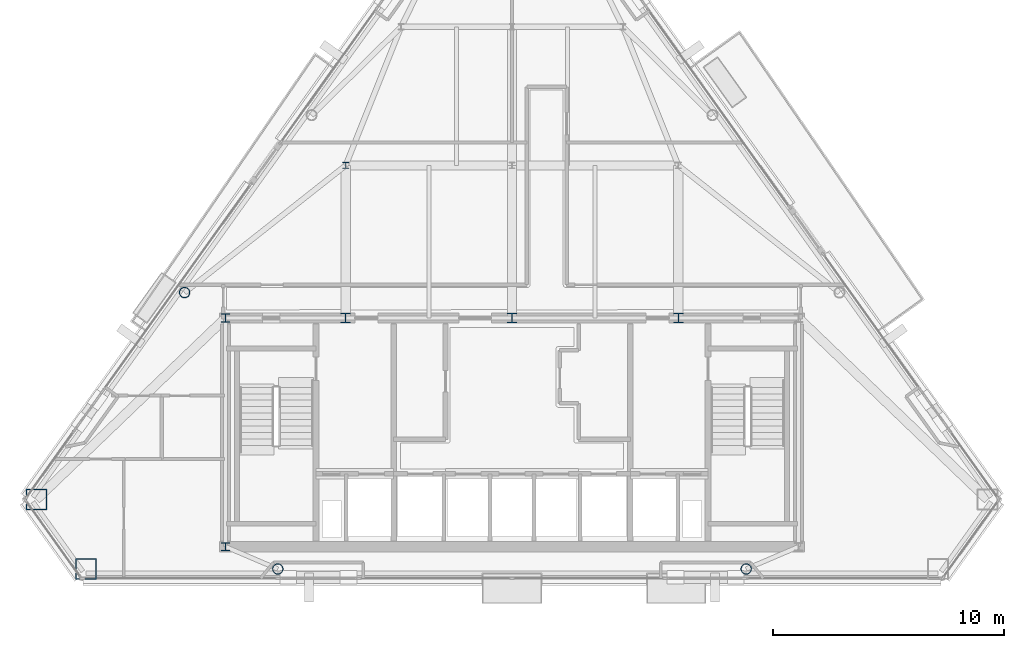
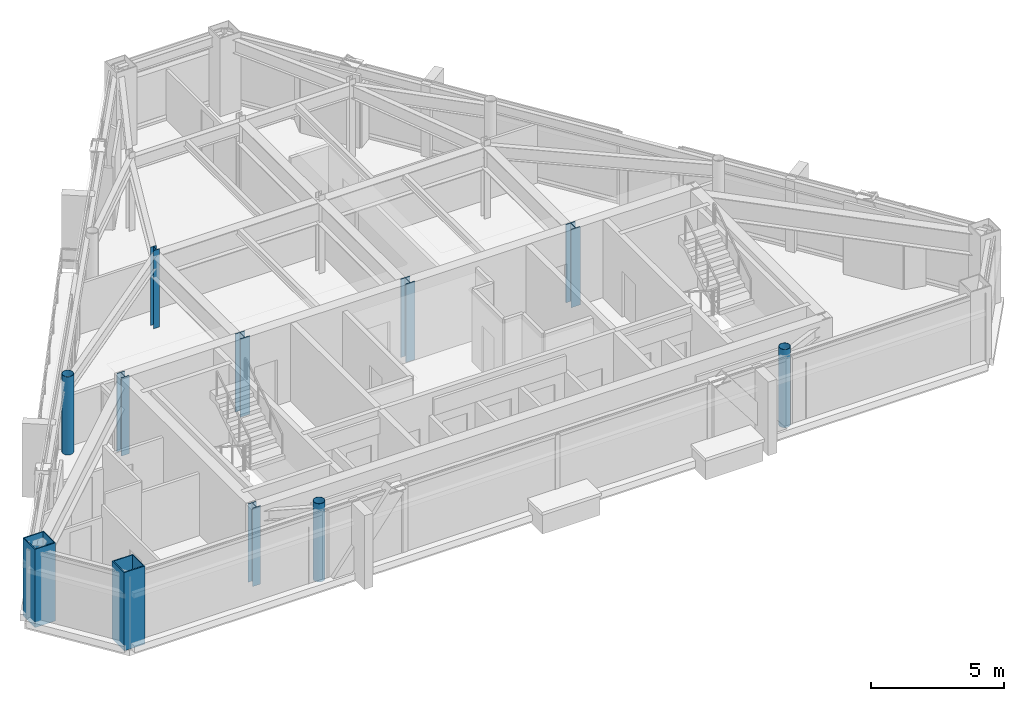
# One storey, part 1 of 12: 11 columns.
"""IFC4 building model written with IfcOpenShell, lengths in metres."""

import ifcopenshell
import ifcopenshell.guid

model = None  # the IFC model being written
_history = None  # IfcOwnerHistory: only IFC2X3 demands one
_inside = {}  # id of a spatial element -> (the spatial element, [elements in it])
_under = {}  # id of a project, library or spatial element -> (it, [spatial elements below it])
_declared = {}  # id of a project -> (the project, [libraries it declares])
_typed = {}  # id of a type object -> (the type object, [elements of that type])
_made_of = {}  # id of a material, layer set ... -> (it, [elements and type objects made of it])


def new_model(schema):
    """Start an empty IFC model of exactly this schema.

    Asked for "IFC4X3", IfcOpenShell would pick the latest addendum, in which some entities
    have other attributes; the version numbers below select the first issue.
    IFC2X3 requires an IfcOwnerHistory on every rooted entity: one is made here for all.
    """
    global model, _history
    if schema == "IFC4X3":
        model = ifcopenshell.file(schema_version=(4, 3, 0, 0))
    else:
        model = ifcopenshell.file(schema=schema)
    _inside.clear()
    _under.clear()
    _declared.clear()
    _typed.clear()
    _made_of.clear()
    _history = None
    if model.schema == "IFC2X3":
        org = make("IfcOrganization", Name="unknown")
        user = make(
            "IfcPersonAndOrganization",
            ThePerson=make("IfcPerson", FamilyName="unknown"),
            TheOrganization=org,
        )
        app = make(
            "IfcApplication",
            ApplicationDeveloper=org,
            Version="unknown",
            ApplicationFullName="unknown",
            ApplicationIdentifier="unknown",
        )
        _history = make(
            "IfcOwnerHistory",
            OwningUser=user,
            OwningApplication=app,
            ChangeAction="ADDED",
            CreationDate=0,
        )
    return model


def make(cls, **values):
    """One entity of the class cls with the attributes given. An attribute that is None is left unset."""
    return model.create_entity(
        cls, **{name: value for name, value in values.items() if value is not None}
    )


def rooted(cls, **values):
    """An entity with a GlobalId (a new one), such as an element, a storey or a relation."""
    return make(cls, GlobalId=ifcopenshell.guid.new(), OwnerHistory=_history, **values)


def si_unit(unit_type, name, prefix=None):
    """IfcSIUnit, for example si_unit("LENGTHUNIT", "METRE", prefix="MILLI")."""
    return make("IfcSIUnit", UnitType=unit_type, Prefix=prefix, Name=name)


def assignment(units):
    """IfcUnitAssignment: the units of a project."""
    return None if units is None else make("IfcUnitAssignment", Units=units)


def point(xyz):
    """IfcCartesianPoint."""
    return None if xyz is None else make("IfcCartesianPoint", Coordinates=xyz)


def direction(xyz):
    """IfcDirection."""
    return None if xyz is None else make("IfcDirection", DirectionRatios=xyz)


def frame(location, z_axis=None, x_axis=None):
    """IfcAxis2Placement3D, a coordinate frame: its origin and axes. An axis left out is left unset."""
    return make(
        "IfcAxis2Placement3D",
        Location=point(location),
        Axis=direction(z_axis),
        RefDirection=direction(x_axis),
    )


def frame_2d(location, x_axis=None):
    """IfcAxis2Placement2D, a coordinate frame in the plane: its origin and x axis."""
    return make(
        "IfcAxis2Placement2D", Location=point(location), RefDirection=direction(x_axis)
    )


def origin():
    """The frame at (0, 0, 0) with its axes left unset."""
    return frame((0.0, 0.0, 0.0))


def origin_2d():
    """The frame at (0, 0) in the plane with its x axis left unset."""
    return frame_2d((0.0, 0.0))


def place(relative_to, where):
    """IfcLocalPlacement: puts the frame where relative to a parent placement (None: the world)."""
    return make(
        "IfcLocalPlacement", PlacementRelTo=relative_to, RelativePlacement=where
    )


def context(
    kind, dimensions, precision=None, world=None, true_north=None, identifier=None
):
    """IfcGeometricRepresentationContext, for example the 3D "Model" context."""
    return make(
        "IfcGeometricRepresentationContext",
        ContextIdentifier=identifier,
        ContextType=kind,
        CoordinateSpaceDimension=dimensions,
        Precision=precision,
        WorldCoordinateSystem=world,
        TrueNorth=true_north,
    )


def subcontext(parent, identifier, kind, view, scale=None):
    """IfcGeometricRepresentationSubContext, for example "Body" below "Model"."""
    return make(
        "IfcGeometricRepresentationSubContext",
        ContextIdentifier=identifier,
        ContextType=kind,
        ParentContext=parent,
        TargetScale=scale,
        TargetView=view,
    )


def project(units=None, contexts=None):
    """IfcProject with its units and contexts."""
    return rooted(
        "IfcProject",
        Name="project",
        RepresentationContexts=contexts,
        UnitsInContext=assignment(units),
    )


def spatial(cls, under=None, at=None, **own):
    """A site, building, storey or space (cls), placed at a placement, below another one or the project."""
    s = rooted(cls, ObjectPlacement=at, **own)
    if under is not None:
        _under.setdefault(under.id(), (under, []))[1].append(s)
    return s


def profile(cls, at=None, kind="AREA", **sizes):
    """A parametric profile (cls). Its sizes go by their IFC names, for example OverallWidth=200.0."""
    return make(cls, ProfileType=kind, Position=at, **sizes)


def hollow_rectangle(**sizes):
    """IfcRectangleHollowProfileDef."""
    return profile("IfcRectangleHollowProfileDef", **sizes)


def hollow_circle(**sizes):
    """IfcCircleHollowProfileDef."""
    return profile("IfcCircleHollowProfileDef", **sizes)


def i_section(**sizes):
    """IfcIShapeProfileDef."""
    return profile("IfcIShapeProfileDef", **sizes)


def extrude(swept, where, along, depth):
    """IfcExtrudedAreaSolid: the profile swept, set in the frame where, extruded along a direction by depth."""
    return make(
        "IfcExtrudedAreaSolid",
        SweptArea=swept,
        Position=where,
        ExtrudedDirection=direction(along),
        Depth=depth,
    )


def shape(context_of_items, identifier, shape_type, items):
    """IfcShapeRepresentation: the items that make up one representation, for example the "Body"."""
    return make(
        "IfcShapeRepresentation",
        ContextOfItems=context_of_items,
        RepresentationIdentifier=identifier,
        RepresentationType=shape_type,
        Items=items,
    )


def material(Name=None, Category=None):
    """IfcMaterial."""
    return make("IfcMaterial", Name=Name, Category=Category)


def material_profile(
    of_material, cross_section, Name=None, Category=None, Priority=None
):
    """IfcMaterialProfile: a cross section and its material."""
    return make(
        "IfcMaterialProfile",
        Name=Name,
        Material=of_material,
        Profile=cross_section,
        Priority=Priority,
        Category=Category,
    )


def profile_set(profiles, Name=None, composite=None):
    """IfcMaterialProfileSet."""
    return make(
        "IfcMaterialProfileSet",
        Name=Name,
        MaterialProfiles=profiles,
        CompositeProfile=composite,
    )


def made_of(thing, what):
    """Note that an element or type object is made of a material, layer set ...; save() writes the relation."""
    if what is not None:
        _made_of.setdefault(what.id(), (what, []))[1].append(thing)
    return thing


def type_object(cls, material=None, **own):
    """A type object (cls), such as IfcWallType, which elements share."""
    return made_of(rooted(cls, **own), material)


def element(
    cls,
    number,
    at=None,
    inside=None,
    cuts=None,
    type_object=None,
    material=None,
    context=None,
    identifier="Body",
    shape_type=None,
    held_by="IfcProductDefinitionShape",
    body=None,
    shapes=None,
    **own,
):
    """One element of the class cls, such as IfcWall. Its Tag is "e" and its number.

    at: its placement. inside: the storey or other place that contains it. cuts: it is an
    opening in that element (IfcRelVoidsElement). A single representation is given by context,
    identifier, shape_type and body (its items); several are given by shapes. held_by: the class
    of the entity that holds the representations. save() writes the other relations.
    """
    e = rooted(cls, Tag="e%d" % number, ObjectPlacement=at, **own)
    if body is not None:
        shapes = [shape(context, identifier, shape_type, body)]
    if shapes is not None:
        e.Representation = make(held_by, Representations=shapes)
    if inside is not None:
        _inside.setdefault(inside.id(), (inside, []))[1].append(e)
    if cuts is not None:
        rooted(
            "IfcRelVoidsElement", RelatingBuildingElement=cuts, RelatedOpeningElement=e
        )
    if type_object is not None:
        _typed.setdefault(type_object.id(), (type_object, []))[1].append(e)
    return made_of(e, material)


def aggregate(whole, parts):
    """IfcRelAggregates: a whole, such as a stair, and the parts it consists of."""
    return rooted("IfcRelAggregates", RelatingObject=whole, RelatedObjects=parts)


def save(model, path):
    """Write the relations noted so far, then the file.

    IfcRelAggregates (storeys below a building ...), IfcRelContainedInSpatialStructure (elements
    in a storey), IfcRelDefinesByType, IfcRelAssociatesMaterial and IfcRelDeclares: one each for
    every whole, place, type object, material and project.
    """
    for whole, parts in _under.values():
        aggregate(whole, parts)
    for where, things in _inside.values():
        rooted(
            "IfcRelContainedInSpatialStructure",
            RelatedElements=things,
            RelatingStructure=where,
        )
    for kind, things in _typed.values():
        rooted("IfcRelDefinesByType", RelatedObjects=things, RelatingType=kind)
    for what, things in _made_of.values():
        rooted("IfcRelAssociatesMaterial", RelatedObjects=things, RelatingMaterial=what)
    for by, libraries in _declared.values():
        rooted("IfcRelDeclares", RelatingContext=by, RelatedDefinitions=libraries)
    model.write(path)


model = new_model("IFC4")

# Units and contexts
model_context = context("Model", 3, precision=1e-05, world=origin(), true_north=direction((0.0, 1.0)))
body_context = subcontext(model_context, "Body", "Model", "MODEL_VIEW")
ifc_project = project(units=[si_unit("LENGTHUNIT", "METRE"), si_unit("AREAUNIT", "SQUARE_METRE"), si_unit("VOLUMEUNIT", "CUBIC_METRE"), si_unit("PLANEANGLEUNIT", "RADIAN"), si_unit("MASSUNIT", "GRAM", prefix="KILO")], contexts=[model_context])

# Site, building, storey
site_placement = place(None, origin())
site = spatial("IfcSite", under=ifc_project, at=site_placement, CompositionType="ELEMENT")
building_placement = place(site_placement, origin())
building = spatial("IfcBuilding", under=site, at=building_placement, Name="Talgorran Terracotta Tower", CompositionType="ELEMENT")
storey_placement = place(building_placement, frame((0.0, 0.0, 252.60009765625)))
storey = spatial("IfcBuildingStorey", under=building, at=storey_placement, Name="L66", CompositionType="ELEMENT", Elevation=252.60009765625)

# Columns
ifc_material_1 = material(Name="Steel S355 (300PLUS)", Category="steel")
ifc_material_profile_1 = material_profile(ifc_material_1, i_section(OverallWidth=0.256103515625, OverallDepth=0.260009765625, WebThickness=0.010498046875, FlangeThickness=0.017333984375, at=origin_2d()), Name="250UC89.5")
ifc_profile_set_1 = profile_set([ifc_material_profile_1], Name="Steel S355 (300PLUS)")
column_type_1 = type_object("IfcColumnType", Name="COL_250UC89", PredefinedType="COLUMN", material=ifc_profile_set_1)
column_placement = place(storey_placement, frame((-7.199951171875, 2.39990234375, 0.0), z_axis=(0.0, 0.0, 1.0), x_axis=(1.0, 0.0, 0.0)))
element("IfcColumn", 1, at=column_placement, inside=storey, type_object=column_type_1, Name="L66 Interior Gravity Column IC1", PredefinedType="COLUMN", context=body_context, shape_type="SweptSolid", body=[
    extrude(i_section(OverallWidth=0.256103515625, OverallDepth=0.260009765625, WebThickness=0.010498046875, FlangeThickness=0.017333984375, at=origin_2d()), origin(), (0.0, 0.0, 1.0), 3.599853515625),
])
ifc_material_profile_2 = material_profile(ifc_material_1, i_section(OverallWidth=0.35205078125, OverallDepth=0.35888671875, WebThickness=0.01806640625, FlangeThickness=0.02587890625, at=origin_2d()), Name="350WC197")
ifc_profile_set_2 = profile_set([ifc_material_profile_2], Name="Steel S355 (300PLUS)")
column_type_2 = type_object("IfcColumnType", Name="COL_350WC197", PredefinedType="COLUMN", material=ifc_profile_set_2)
for number, where, z_axis, x_axis, name in (
    (2, (-12.39990234375, -14.10009765625, 0.0), (0.0, 0.0, 1.0), (1.0, 0.0, 0.0), "L66 Core Boundary Column CC1"),
    (3, (-12.39990234375, -4.199951171875, 0.0), (0.0, 0.0, 1.0), (1.0, 0.0, 0.0), "L66 Core Boundary Column CC4"),
):
    element("IfcColumn", number, at=place(storey_placement, frame(where, z_axis=z_axis, x_axis=x_axis)), inside=storey, type_object=column_type_2, Name=name, PredefinedType="COLUMN", context=body_context, shape_type="SweptSolid", body=[
        extrude(i_section(OverallWidth=0.35205078125, OverallDepth=0.35888671875, WebThickness=0.01806640625, FlangeThickness=0.02587890625, at=origin_2d()), origin(), (0.0, 0.0, 1.0), 3.599853515625),
    ])
ifc_material_2 = material(Name="Steel Grade 350 (350L0)", Category="steel")
ifc_material_profile_3 = material_profile(ifc_material_2, hollow_rectangle(XDim=0.89990234375, YDim=0.89990234375, WallThickness=0.0400390625, at=origin_2d()), Name="CFT900X900X40")
ifc_profile_set_3 = profile_set([ifc_material_profile_3], Name="Steel Grade 350 (350L0)")
column_type_3 = type_object("IfcColumnType", Name="COL_CFT_900", PredefinedType="COLUMN", material=ifc_profile_set_3)
for number, where, z_axis, x_axis, name in (
    (4, (-20.585205078125, -12.056640625, 0.0), (0.0, 0.0, 1.0), (1.0, 0.0, 0.0), "L66 Corner CFT Mega-Column MC1"),
    (5, (-18.43212890625, -15.063232421875, 0.0), (0.0, 0.0, 1.0), (1.0, 0.0, 0.0), "L66 Corner CFT Mega-Column MC2"),
):
    element("IfcColumn", number, at=place(storey_placement, frame(where, z_axis=z_axis, x_axis=x_axis)), inside=storey, type_object=column_type_3, Name=name, PredefinedType="COLUMN", context=body_context, shape_type="SweptSolid", body=[
        extrude(hollow_rectangle(XDim=0.89990234375, YDim=0.89990234375, WallThickness=0.0400390625, at=origin_2d()), origin(), (0.0, 0.0, 1.0), 3.599853515625),
    ])
ifc_material_3 = material(Name="Steel S350 (C350L0)", Category="steel")
ifc_material_profile_4 = material_profile(ifc_material_3, hollow_circle(Radius=0.228515625, WallThickness=0.01611328125, at=origin_2d()), Name="CHS457X16")
ifc_profile_set_4 = profile_set([ifc_material_profile_4], Name="Steel S350 (C350L0)")
column_type_4 = type_object("IfcColumnType", Name="COL_CHS_457", PredefinedType="COLUMN", material=ifc_profile_set_4)
for number, where, z_axis, x_axis, name in (
    (6, (-10.1376953125, -15.063232421875, 0.0), (0.0, 0.0, 1.0), (1.0, 0.0, 0.0), "L66 Facet Perimeter Column FC1"),
    (7, (10.1376953125, -15.063232421875, 0.0), (0.0, 0.0, 1.0), (1.0, 0.0, 0.0), "L66 Facet Perimeter Column FC2"),
    (8, (-14.170654296875, -3.09912109375, 0.0), (0.0, 0.0, 1.0), (1.0, 0.0, 0.0), "L66 Facet Perimeter Column FC6"),
):
    element("IfcColumn", number, at=place(storey_placement, frame(where, z_axis=z_axis, x_axis=x_axis)), inside=storey, type_object=column_type_4, Name=name, PredefinedType="COLUMN", context=body_context, shape_type="SweptSolid", body=[
        extrude(hollow_circle(Radius=0.228515625, WallThickness=0.01611328125, at=origin_2d()), origin(), (0.0, 0.0, 1.0), 3.599853515625),
    ])
ifc_material_profile_5 = material_profile(ifc_material_1, i_section(OverallWidth=0.405029296875, OverallDepth=0.4140625, WebThickness=0.02197265625, FlangeThickness=0.031982421875, at=origin_2d()), Name="400WC270")
ifc_profile_set_5 = profile_set([ifc_material_profile_5], Name="Steel S355 (300PLUS)")
column_type_5 = type_object("IfcColumnType", Name="COL_PIL_400WC270", PredefinedType="PILASTER", material=ifc_profile_set_5)
for number, where, z_axis, x_axis, name in (
    (9, (-7.199951171875, -4.199951171875, 0.0), (0.0, 0.0, 1.0), (1.0, 0.0, 0.0), "L66 Core Shear Pilaster CP1"),
    (10, (0.0, -4.199951171875, 0.0), (0.0, 0.0, 1.0), (1.0, 0.0, 0.0), "L66 Core Shear Pilaster CP2"),
    (11, (7.199951171875, -4.199951171875, 0.0), (0.0, 0.0, 1.0), (1.0, 0.0, 0.0), "L66 Core Shear Pilaster CP3"),
):
    element("IfcColumn", number, at=place(storey_placement, frame(where, z_axis=z_axis, x_axis=x_axis)), inside=storey, type_object=column_type_5, Name=name, PredefinedType="PILASTER", context=body_context, shape_type="SweptSolid", body=[
        extrude(i_section(OverallWidth=0.405029296875, OverallDepth=0.4140625, WebThickness=0.02197265625, FlangeThickness=0.031982421875, at=origin_2d()), origin(), (0.0, 0.0, 1.0), 3.599853515625),
    ])

save(model, "model.ifc")
